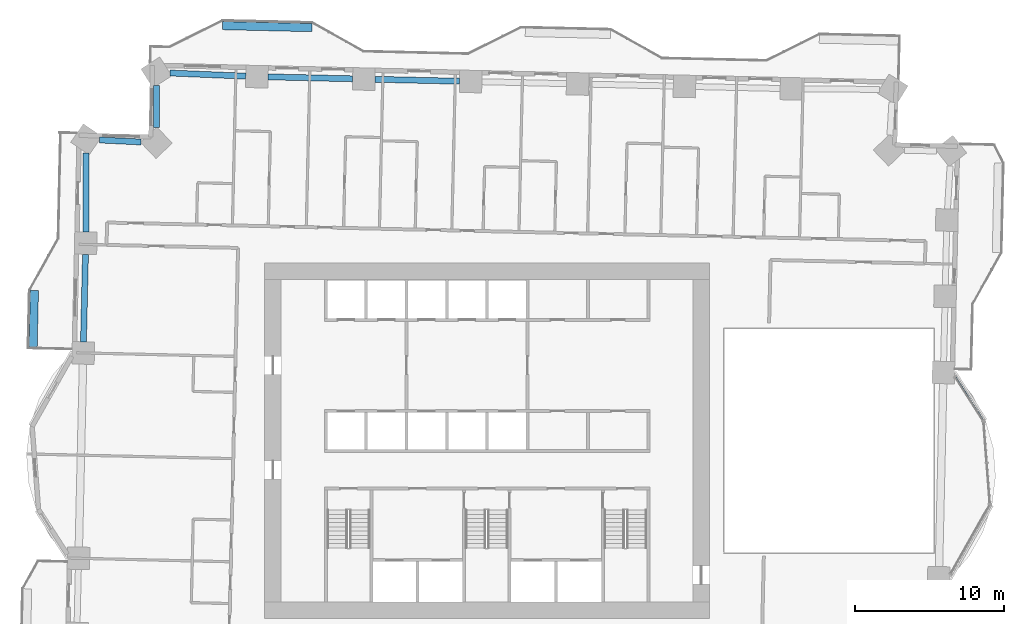
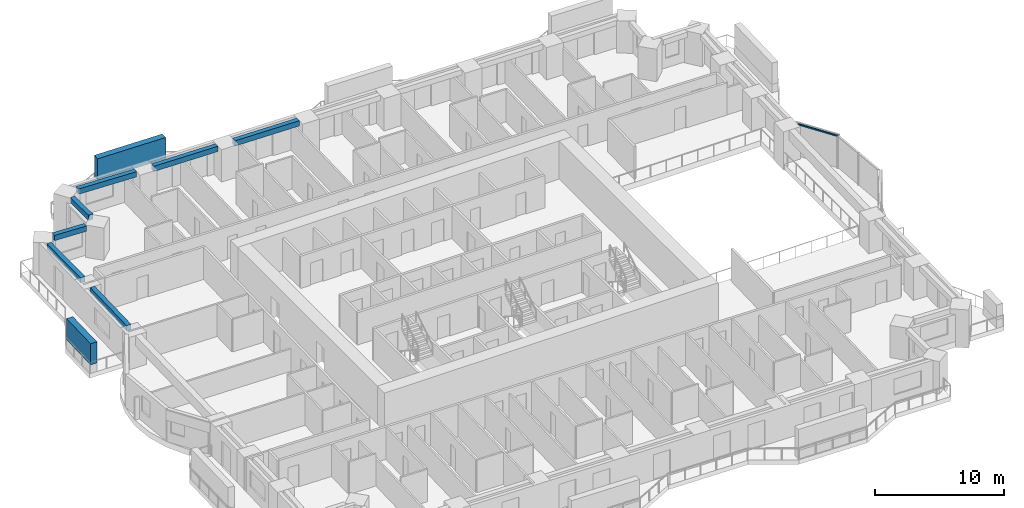
# One storey, part 3 of 18: 7 beams, 3 members, 1 element without a shape of its own.
"""IFC4 building model written with IfcOpenShell, lengths in metres."""

from ifc_helpers import new_model, si_unit, direction, frame, origin, origin_2d, place, context, subcontext, project, spatial, rectangle, extrude, material, material_profile, profile_set, type_object, element, aggregate, save


model = new_model("IFC4")

# Units and contexts
model_context = context("Model", 3, precision=1e-05, world=origin(), true_north=direction((0.0, 1.0)))
body_context = subcontext(model_context, "Body", "Model", "MODEL_VIEW")
ifc_project = project(units=[si_unit("LENGTHUNIT", "METRE"), si_unit("AREAUNIT", "SQUARE_METRE"), si_unit("VOLUMEUNIT", "CUBIC_METRE"), si_unit("PLANEANGLEUNIT", "RADIAN"), si_unit("MASSUNIT", "GRAM", prefix="KILO")], contexts=[model_context])

# Site, building, storey
site_placement = place(None, origin())
site = spatial("IfcSite", under=ifc_project, at=site_placement, CompositionType="ELEMENT")
building_placement = place(site_placement, origin())
building = spatial("IfcBuilding", under=site, at=building_placement, Name="Mangrove Gate Tower", CompositionType="ELEMENT")
storey_placement = place(building_placement, frame((0.0, 0.0, 56.699951171875)))
storey = spatial("IfcBuildingStorey", under=building, at=storey_placement, Name="L13", CompositionType="ELEMENT", Elevation=56.699951171875)

# Curtain wall, member
ifc_material_1 = material(Name="Aluminium and glass curtain wall", Category="aluminium")
curtain_wall_type = type_object("IfcCurtainWallType", Name="Atrium garden-court glazing wall", PredefinedType="NOTDEFINED", material=ifc_material_1)
curtain_wall_placement = place(storey_placement, origin())
curtain_wall = element("IfcCurtainWall", 1, at=curtain_wall_placement, inside=storey, type_object=curtain_wall_type, Name="Atrium garden-court glazing E1f3", PredefinedType="NOTDEFINED")
ifc_material_2 = material(Name="Aluminium alloy 6063-T6", Category="aluminium")
ifc_material_profile_1 = material_profile(ifc_material_2, rectangle(XDim=0.070068359375, YDim=0.14990234375, at=origin_2d()))
ifc_profile_set_1 = profile_set([ifc_material_profile_1], Name="Aluminium alloy 6063-T6")
member_type_1 = type_object("IfcMemberType", Name="Atrium garden-court glazing transom 70x150", PredefinedType="USERDEFINED", material=ifc_profile_set_1)
member_1_placement = place(storey_placement, frame((33.211669921875, 1.364013671875, 3.01513671875), z_axis=(-0.540523675836, 0.841328803656, 0.0), x_axis=(0.0, 0.0, 1.0)))
member_1 = element("IfcMember", 2, at=member_1_placement, type_object=member_type_1, Name="CWA transom 1.2", ObjectType="TRANSOM", PredefinedType="USERDEFINED", context=body_context, shape_type="SweptSolid", body=[
    extrude(rectangle(XDim=0.070068359375, YDim=0.14990234375, at=origin_2d()), origin(), (0.0, 0.0, 1.0), 3.42919921875),
])
aggregate(curtain_wall, [member_1])

# Members
ifc_material_3 = material(Name="Planting on aluminium trellis", Category="aluminium")
ifc_material_profile_2 = material_profile(ifc_material_3, rectangle(XDim=0.550048828125, YDim=2.0, at=origin_2d()))
ifc_profile_set_2 = profile_set([ifc_material_profile_2], Name="Planting on aluminium trellis")
member_type_2 = type_object("IfcMemberType", Name="Balcony greenery screen 550x2000", PredefinedType="USERDEFINED", material=ifc_profile_set_2)
member_2_placement = place(storey_placement, frame((-17.736083984375, 27.81103515625, 1.800048828125), z_axis=(0.999743094499, -0.022665943652, 0.0), x_axis=(0.022665943652, 0.999743094499, 0.0)))
element("IfcMember", 3, at=member_2_placement, inside=storey, type_object=member_type_2, Name="GREEN SCREEN L13 N1.1", ObjectType="PLANTING", PredefinedType="USERDEFINED", context=body_context, shape_type="SweptSolid", body=[
    extrude(rectangle(XDim=0.550048828125, YDim=2.0, at=origin_2d()), origin(), (0.0, 0.0, 1.0), 5.99951171875),
])
member_3_placement = place(storey_placement, frame((-30.4130859375, 6.2041015625, 1.800048828125), z_axis=(0.022745736617, 0.999741282265, 0.0), x_axis=(-0.999741282265, 0.022745736617, 0.0)))
element("IfcMember", 4, at=member_3_placement, inside=storey, type_object=member_type_2, Name="GREEN SCREEN L13 W0.1", ObjectType="PLANTING", PredefinedType="USERDEFINED", context=body_context, shape_type="SweptSolid", body=[
    extrude(rectangle(XDim=0.550048828125, YDim=2.0, at=origin_2d()), origin(), (0.0, 0.0, 1.0), 3.874755859375),
])

# Beams
ifc_material_4 = material(Name="Concrete C50/60", Category="concrete")
ifc_material_profile_3 = material_profile(ifc_material_4, rectangle(XDim=0.39990234375, YDim=0.5, at=origin_2d()))
ifc_profile_set_3 = profile_set([ifc_material_profile_3], Name="Concrete C50/60")
beam_type = type_object("IfcBeamType", Name="Edge beam RC 400x500 C50/60", PredefinedType="BEAM", material=ifc_profile_set_3)
beam_1_placement = place(storey_placement, frame((-1.847900390625, 24.085205078125, 2.800048828125), z_axis=(-0.999744787315, 0.022591153933, 0.0), x_axis=(-0.022591153933, -0.999744787315, 0.0)))
element("IfcBeam", 5, at=beam_1_placement, inside=storey, type_object=beam_type, Name="Edge beam L13 26", PredefinedType="BEAM", context=body_context, shape_type="SweptSolid", body=[
    extrude(rectangle(XDim=0.39990234375, YDim=0.5, at=origin_2d()), origin(), (0.0, 0.0, 1.0), 5.662841796875),
])
beam_2_placement = place(storey_placement, frame((-9.0087890625, 24.247314453125, 2.800048828125), z_axis=(-0.999740788203, 0.022767441715, 0.0), x_axis=(-0.022767441715, -0.999740788203, 0.0)))
element("IfcBeam", 6, at=beam_2_placement, inside=storey, type_object=beam_type, Name="Edge beam L13 27", PredefinedType="BEAM", context=body_context, shape_type="SweptSolid", body=[
    extrude(rectangle(XDim=0.39990234375, YDim=0.5, at=origin_2d()), origin(), (0.0, 0.0, 1.0), 5.661865234375),
])
beam_3_placement = place(storey_placement, frame((-16.16845703125, 24.42431640625, 2.800048828125), z_axis=(-0.99914212499, 0.041412728362, 0.0), x_axis=(-0.041412728362, -0.99914212499, 0.0)))
element("IfcBeam", 7, at=beam_3_placement, inside=storey, type_object=beam_type, Name="Edge beam L13 28", PredefinedType="BEAM", context=body_context, shape_type="SweptSolid", body=[
    extrude(rectangle(XDim=0.39990234375, YDim=0.5, at=origin_2d()), origin(), (0.0, 0.0, 1.0), 5.081787109375),
])
beam_4_placement = place(storey_placement, frame((-22.15869140625, 23.78369140625, 2.800048828125), z_axis=(0.001315557536, -0.999999134654, 0.0), x_axis=(0.999999134654, 0.001315557536, 0.0)))
element("IfcBeam", 8, at=beam_4_placement, inside=storey, type_object=beam_type, Name="Edge beam L13 29", PredefinedType="BEAM", context=body_context, shape_type="SweptSolid", body=[
    extrude(rectangle(XDim=0.39990234375, YDim=0.5, at=origin_2d()), origin(), (0.0, 0.0, 1.0), 2.78369140625),
])
beam_5_placement = place(storey_placement, frame((-23.18701171875, 20.013916015625, 2.800048828125), z_axis=(-0.998830782294, 0.048343234706, 0.0), x_axis=(-0.048343234706, -0.998830782294, 0.0)))
element("IfcBeam", 9, at=beam_5_placement, inside=storey, type_object=beam_type, Name="Edge beam L13 30", PredefinedType="BEAM", context=body_context, shape_type="SweptSolid", body=[
    extrude(rectangle(XDim=0.39990234375, YDim=0.5, at=origin_2d()), origin(), (0.0, 0.0, 1.0), 2.78759765625),
])
beam_6_placement = place(storey_placement, frame((-26.85595703125, 19.285400390625, 2.800048828125), z_axis=(-0.005161697298, -0.999986678352, 0.0), x_axis=(0.999986678352, -0.005161697298, 0.0)))
element("IfcBeam", 10, at=beam_6_placement, inside=storey, type_object=beam_type, Name="Edge beam L13 31", PredefinedType="BEAM", context=body_context, shape_type="SweptSolid", body=[
    extrude(rectangle(XDim=0.39990234375, YDim=0.5, at=origin_2d()), origin(), (0.0, 0.0, 1.0), 5.29736328125),
])
beam_7_placement = place(storey_placement, frame((-26.904296875, 12.48828125, 2.800048828125), z_axis=(-0.022652355822, -0.999743402467, 0.0), x_axis=(0.999743402467, -0.022652355822, 0.0)))
element("IfcBeam", 11, at=beam_7_placement, inside=storey, type_object=beam_type, Name="Edge beam L13 32", PredefinedType="BEAM", context=body_context, shape_type="SweptSolid", body=[
    extrude(rectangle(XDim=0.39990234375, YDim=0.5, at=origin_2d()), origin(), (0.0, 0.0, 1.0), 5.863037109375),
])

save(model, "model.ifc")
